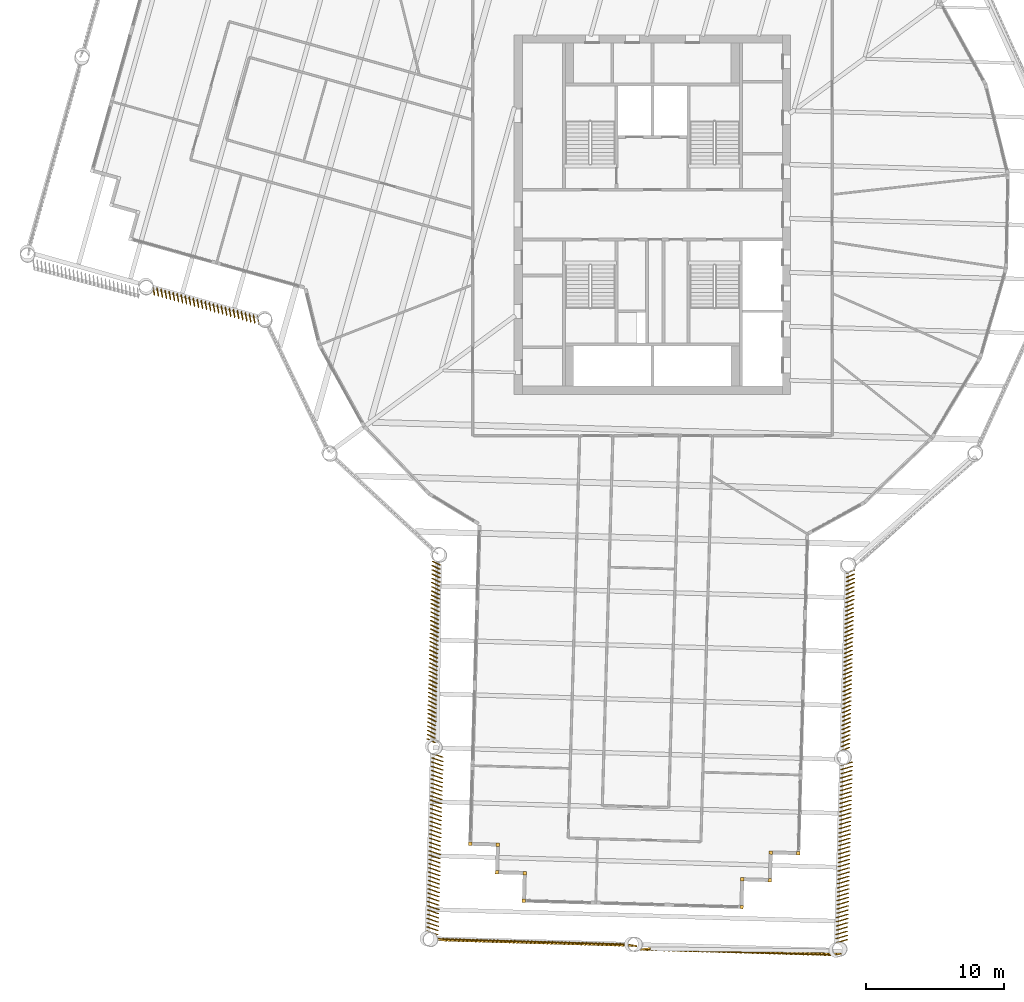
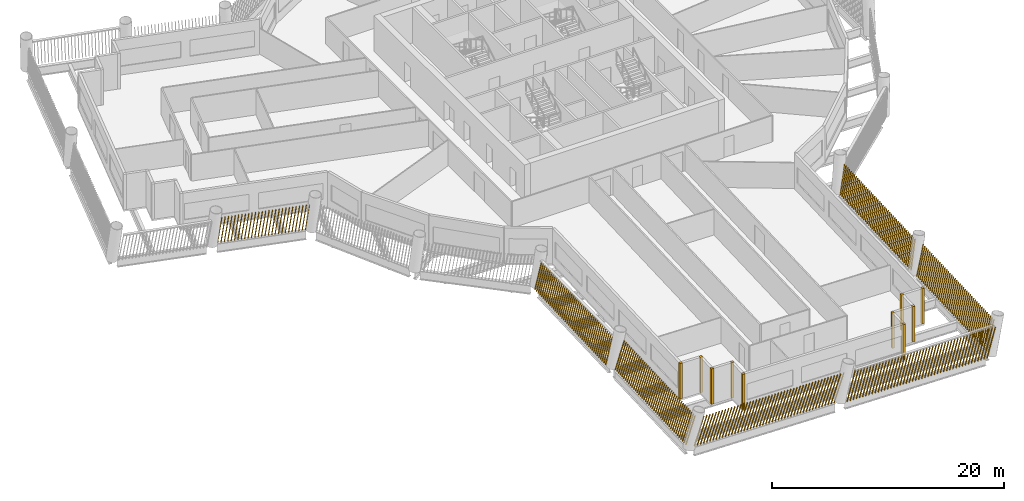
# One storey, part 11 of 15: 17 shading devices.
"""IFC4 building model written with IfcOpenShell, lengths in metres."""

from ifc_helpers import new_model, si_unit, direction, frame, frame_2d, origin, origin_2d, place, context, subcontext, project, spatial, rectangle, composite_profile, extrude, material, type_object, element, save


model = new_model("IFC4")

# Units and contexts
model_context = context("Model", 3, precision=1e-05, world=origin(), true_north=direction((0.0, 1.0)))
body_context = subcontext(model_context, "Body", "Model", "MODEL_VIEW")
ifc_project = project(units=[si_unit("LENGTHUNIT", "METRE"), si_unit("AREAUNIT", "SQUARE_METRE"), si_unit("VOLUMEUNIT", "CUBIC_METRE"), si_unit("PLANEANGLEUNIT", "RADIAN"), si_unit("MASSUNIT", "GRAM", prefix="KILO")], contexts=[model_context])

# Site, building, storey
site_placement = place(None, origin())
site = spatial("IfcSite", under=ifc_project, at=site_placement, CompositionType="ELEMENT")
building_placement = place(site_placement, origin())
building = spatial("IfcBuilding", under=site, at=building_placement, Name="Tarsis Ring Headquarters", CompositionType="ELEMENT")
storey_placement = place(building_placement, frame((0.0, 0.0, 219.89990234375)))
storey = spatial("IfcBuildingStorey", under=building, at=storey_placement, Name="L51", CompositionType="ELEMENT", Elevation=219.89990234375)

# Shading devices
ifc_material = material(Name="Terracotta baguette", Category="masonry")
shading_device_type_1 = type_object("IfcShadingDeviceType", Name="Terracotta baguette screen", PredefinedType="USERDEFINED", material=ifc_material)
shading_device_1_placement = place(storey_placement, frame((-15.8984375, -25.05078125, 0.0), z_axis=(0.0, 0.0, 1.0), x_axis=(-0.028629276415, -0.999583711777, 0.0)))
element("IfcShadingDevice", 1, at=shading_device_1_placement, inside=storey, type_object=shading_device_type_1, Name="Baguette screen L51-01", ObjectType="Terracotta baguette screen", PredefinedType="USERDEFINED", context=body_context, shape_type="SweptSolid", body=[
    extrude(composite_profile([rectangle(XDim=0.06005859375, YDim=0.1201171875, at=frame_2d((0.030029296875, 0.0))), rectangle(XDim=0.06005859375, YDim=0.1201171875, at=frame_2d((0.335693359375, 0.0))), rectangle(XDim=0.06005859375, YDim=0.1201171875, at=frame_2d((0.6416015625, 0.0))), rectangle(XDim=0.06005859375, YDim=0.1201171875, at=frame_2d((0.947265625, 0.0))), rectangle(XDim=0.06005859375, YDim=0.1201171875, at=frame_2d((1.253173828125, 0.0))), rectangle(XDim=0.06005859375, YDim=0.1201171875, at=frame_2d((1.558837890625, 0.0))), rectangle(XDim=0.06005859375, YDim=0.1201171875, at=frame_2d((1.864501953125, 0.0))), rectangle(XDim=0.06005859375, YDim=0.1201171875, at=frame_2d((2.17041015625, 0.0))), rectangle(XDim=0.06005859375, YDim=0.1201171875, at=frame_2d((2.47607421875, 0.0))), rectangle(XDim=0.06005859375, YDim=0.1201171875, at=frame_2d((2.781982421875, 0.0))), rectangle(XDim=0.06005859375, YDim=0.1201171875, at=frame_2d((3.087646484375, 0.0))), rectangle(XDim=0.06005859375, YDim=0.1201171875, at=frame_2d((3.393310546875, 0.0))), rectangle(XDim=0.06005859375, YDim=0.1201171875, at=frame_2d((3.69921875, 0.0))), rectangle(XDim=0.06005859375, YDim=0.1201171875, at=frame_2d((4.0048828125, 0.0))), rectangle(XDim=0.06005859375, YDim=0.1201171875, at=frame_2d((4.310791015625, 0.0))), rectangle(XDim=0.06005859375, YDim=0.1201171875, at=frame_2d((4.616455078125, 0.0))), rectangle(XDim=0.06005859375, YDim=0.1201171875, at=frame_2d((4.922119140625, 0.0))), rectangle(XDim=0.06005859375, YDim=0.1201171875, at=frame_2d((5.22802734375, 0.0))), rectangle(XDim=0.06005859375, YDim=0.1201171875, at=frame_2d((5.53369140625, 0.0))), rectangle(XDim=0.06005859375, YDim=0.1201171875, at=frame_2d((5.839599609375, 0.0))), rectangle(XDim=0.06005859375, YDim=0.1201171875, at=frame_2d((6.145263671875, 0.0))), rectangle(XDim=0.06005859375, YDim=0.1201171875, at=frame_2d((6.451171875, 0.0))), rectangle(XDim=0.06005859375, YDim=0.1201171875, at=frame_2d((6.7568359375, 0.0))), rectangle(XDim=0.06005859375, YDim=0.1201171875, at=frame_2d((7.0625, 0.0))), rectangle(XDim=0.06005859375, YDim=0.1201171875, at=frame_2d((7.368408203125, 0.0))), rectangle(XDim=0.06005859375, YDim=0.1201171875, at=frame_2d((7.674072265625, 0.0))), rectangle(XDim=0.06005859375, YDim=0.1201171875, at=frame_2d((7.97998046875, 0.0))), rectangle(XDim=0.06005859375, YDim=0.1201171875, at=frame_2d((8.28564453125, 0.0))), rectangle(XDim=0.06005859375, YDim=0.1201171875, at=frame_2d((8.59130859375, 0.0))), rectangle(XDim=0.06005859375, YDim=0.1201171875, at=frame_2d((8.897216796875, 0.0))), rectangle(XDim=0.06005859375, YDim=0.1201171875, at=frame_2d((9.202880859375, 0.0))), rectangle(XDim=0.06005859375, YDim=0.1201171875, at=frame_2d((9.5087890625, 0.0))), rectangle(XDim=0.06005859375, YDim=0.1201171875, at=frame_2d((9.814453125, 0.0))), rectangle(XDim=0.06005859375, YDim=0.1201171875, at=frame_2d((10.1201171875, 0.0))), rectangle(XDim=0.06005859375, YDim=0.1201171875, at=frame_2d((10.426025390625, 0.0))), rectangle(XDim=0.06005859375, YDim=0.1201171875, at=frame_2d((10.731689453125, 0.0))), rectangle(XDim=0.06005859375, YDim=0.1201171875, at=frame_2d((11.03759765625, 0.0))), rectangle(XDim=0.06005859375, YDim=0.1201171875, at=frame_2d((11.34326171875, 0.0))), rectangle(XDim=0.06005859375, YDim=0.1201171875, at=frame_2d((11.64892578125, 0.0))), rectangle(XDim=0.06005859375, YDim=0.1201171875, at=frame_2d((11.954833984375, 0.0))), rectangle(XDim=0.06005859375, YDim=0.1201171875, at=frame_2d((12.260498046875, 0.0))), rectangle(XDim=0.06005859375, YDim=0.1201171875, at=frame_2d((12.56640625, 0.0))), rectangle(XDim=0.06005859375, YDim=0.1201171875, at=frame_2d((12.8720703125, 0.0)))]), origin(), (0.08299998734, 0.178582209372, 0.980417970356), 3.009033203125),
])
shading_device_2_placement = place(storey_placement, frame((-15.92138671875, -38.9580078125, 0.0), z_axis=(0.0, 0.0, 1.0), x_axis=(-0.028629276415, -0.999583711777, 0.0)))
element("IfcShadingDevice", 2, at=shading_device_2_placement, inside=storey, type_object=shading_device_type_1, Name="Baguette screen L51-02", ObjectType="Terracotta baguette screen", PredefinedType="USERDEFINED", context=body_context, shape_type="SweptSolid", body=[
    extrude(composite_profile([rectangle(XDim=0.06005859375, YDim=0.1201171875, at=frame_2d((0.030029296875, 0.0))), rectangle(XDim=0.06005859375, YDim=0.1201171875, at=frame_2d((0.335693359375, 0.0))), rectangle(XDim=0.06005859375, YDim=0.1201171875, at=frame_2d((0.6416015625, 0.0))), rectangle(XDim=0.06005859375, YDim=0.1201171875, at=frame_2d((0.947265625, 0.0))), rectangle(XDim=0.06005859375, YDim=0.1201171875, at=frame_2d((1.253173828125, 0.0))), rectangle(XDim=0.06005859375, YDim=0.1201171875, at=frame_2d((1.558837890625, 0.0))), rectangle(XDim=0.06005859375, YDim=0.1201171875, at=frame_2d((1.864501953125, 0.0))), rectangle(XDim=0.06005859375, YDim=0.1201171875, at=frame_2d((2.17041015625, 0.0))), rectangle(XDim=0.06005859375, YDim=0.1201171875, at=frame_2d((2.47607421875, 0.0))), rectangle(XDim=0.06005859375, YDim=0.1201171875, at=frame_2d((2.781982421875, 0.0))), rectangle(XDim=0.06005859375, YDim=0.1201171875, at=frame_2d((3.087646484375, 0.0))), rectangle(XDim=0.06005859375, YDim=0.1201171875, at=frame_2d((3.393310546875, 0.0))), rectangle(XDim=0.06005859375, YDim=0.1201171875, at=frame_2d((3.69921875, 0.0))), rectangle(XDim=0.06005859375, YDim=0.1201171875, at=frame_2d((4.0048828125, 0.0))), rectangle(XDim=0.06005859375, YDim=0.1201171875, at=frame_2d((4.310791015625, 0.0))), rectangle(XDim=0.06005859375, YDim=0.1201171875, at=frame_2d((4.616455078125, 0.0))), rectangle(XDim=0.06005859375, YDim=0.1201171875, at=frame_2d((4.922119140625, 0.0))), rectangle(XDim=0.06005859375, YDim=0.1201171875, at=frame_2d((5.22802734375, 0.0))), rectangle(XDim=0.06005859375, YDim=0.1201171875, at=frame_2d((5.53369140625, 0.0))), rectangle(XDim=0.06005859375, YDim=0.1201171875, at=frame_2d((5.839599609375, 0.0))), rectangle(XDim=0.06005859375, YDim=0.1201171875, at=frame_2d((6.145263671875, 0.0))), rectangle(XDim=0.06005859375, YDim=0.1201171875, at=frame_2d((6.451171875, 0.0))), rectangle(XDim=0.06005859375, YDim=0.1201171875, at=frame_2d((6.7568359375, 0.0))), rectangle(XDim=0.06005859375, YDim=0.1201171875, at=frame_2d((7.0625, 0.0))), rectangle(XDim=0.06005859375, YDim=0.1201171875, at=frame_2d((7.368408203125, 0.0))), rectangle(XDim=0.06005859375, YDim=0.1201171875, at=frame_2d((7.674072265625, 0.0))), rectangle(XDim=0.06005859375, YDim=0.1201171875, at=frame_2d((7.97998046875, 0.0))), rectangle(XDim=0.06005859375, YDim=0.1201171875, at=frame_2d((8.28564453125, 0.0))), rectangle(XDim=0.06005859375, YDim=0.1201171875, at=frame_2d((8.59130859375, 0.0))), rectangle(XDim=0.06005859375, YDim=0.1201171875, at=frame_2d((8.897216796875, 0.0))), rectangle(XDim=0.06005859375, YDim=0.1201171875, at=frame_2d((9.202880859375, 0.0))), rectangle(XDim=0.06005859375, YDim=0.1201171875, at=frame_2d((9.5087890625, 0.0))), rectangle(XDim=0.06005859375, YDim=0.1201171875, at=frame_2d((9.814453125, 0.0))), rectangle(XDim=0.06005859375, YDim=0.1201171875, at=frame_2d((10.1201171875, 0.0))), rectangle(XDim=0.06005859375, YDim=0.1201171875, at=frame_2d((10.426025390625, 0.0))), rectangle(XDim=0.06005859375, YDim=0.1201171875, at=frame_2d((10.731689453125, 0.0))), rectangle(XDim=0.06005859375, YDim=0.1201171875, at=frame_2d((11.03759765625, 0.0))), rectangle(XDim=0.06005859375, YDim=0.1201171875, at=frame_2d((11.34326171875, 0.0))), rectangle(XDim=0.06005859375, YDim=0.1201171875, at=frame_2d((11.64892578125, 0.0))), rectangle(XDim=0.06005859375, YDim=0.1201171875, at=frame_2d((11.954833984375, 0.0))), rectangle(XDim=0.06005859375, YDim=0.1201171875, at=frame_2d((12.260498046875, 0.0))), rectangle(XDim=0.06005859375, YDim=0.1201171875, at=frame_2d((12.56640625, 0.0))), rectangle(XDim=0.06005859375, YDim=0.1201171875, at=frame_2d((12.8720703125, 0.0)))]), origin(), (0.07896348139, 0.25182603507, 0.96454570481), 3.05859375),
])
shading_device_3_placement = place(storey_placement, frame((-15.80517578125, -52.369140625, 0.0), z_axis=(0.0, 0.0, 1.0), x_axis=(0.999593093199, -0.028625008846, 0.0)))
element("IfcShadingDevice", 3, at=shading_device_3_placement, inside=storey, type_object=shading_device_type_1, Name="Baguette screen L51-03", ObjectType="Terracotta baguette screen", PredefinedType="USERDEFINED", context=body_context, shape_type="SweptSolid", body=[
    extrude(composite_profile([rectangle(XDim=0.06005859375, YDim=0.1201171875, at=frame_2d((0.030029296875, 0.0))), rectangle(XDim=0.06005859375, YDim=0.1201171875, at=frame_2d((0.33544921875, 0.0))), rectangle(XDim=0.06005859375, YDim=0.1201171875, at=frame_2d((0.640625, 0.0))), rectangle(XDim=0.06005859375, YDim=0.1201171875, at=frame_2d((0.946044921875, 0.0))), rectangle(XDim=0.06005859375, YDim=0.1201171875, at=frame_2d((1.25146484375, 0.0))), rectangle(XDim=0.06005859375, YDim=0.1201171875, at=frame_2d((1.556640625, 0.0))), rectangle(XDim=0.06005859375, YDim=0.1201171875, at=frame_2d((1.862060546875, 0.0))), rectangle(XDim=0.06005859375, YDim=0.1201171875, at=frame_2d((2.16748046875, 0.0))), rectangle(XDim=0.06005859375, YDim=0.1201171875, at=frame_2d((2.47265625, 0.0))), rectangle(XDim=0.06005859375, YDim=0.1201171875, at=frame_2d((2.778076171875, 0.0))), rectangle(XDim=0.06005859375, YDim=0.1201171875, at=frame_2d((3.08349609375, 0.0))), rectangle(XDim=0.06005859375, YDim=0.1201171875, at=frame_2d((3.388671875, 0.0))), rectangle(XDim=0.06005859375, YDim=0.1201171875, at=frame_2d((3.694091796875, 0.0))), rectangle(XDim=0.06005859375, YDim=0.1201171875, at=frame_2d((3.99951171875, 0.0))), rectangle(XDim=0.06005859375, YDim=0.1201171875, at=frame_2d((4.3046875, 0.0))), rectangle(XDim=0.06005859375, YDim=0.1201171875, at=frame_2d((4.610107421875, 0.0))), rectangle(XDim=0.06005859375, YDim=0.1201171875, at=frame_2d((4.91552734375, 0.0))), rectangle(XDim=0.06005859375, YDim=0.1201171875, at=frame_2d((5.220703125, 0.0))), rectangle(XDim=0.06005859375, YDim=0.1201171875, at=frame_2d((5.526123046875, 0.0))), rectangle(XDim=0.06005859375, YDim=0.1201171875, at=frame_2d((5.83154296875, 0.0))), rectangle(XDim=0.06005859375, YDim=0.1201171875, at=frame_2d((6.13671875, 0.0))), rectangle(XDim=0.06005859375, YDim=0.1201171875, at=frame_2d((6.442138671875, 0.0))), rectangle(XDim=0.06005859375, YDim=0.1201171875, at=frame_2d((6.74755859375, 0.0))), rectangle(XDim=0.06005859375, YDim=0.1201171875, at=frame_2d((7.052734375, 0.0))), rectangle(XDim=0.06005859375, YDim=0.1201171875, at=frame_2d((7.358154296875, 0.0))), rectangle(XDim=0.06005859375, YDim=0.1201171875, at=frame_2d((7.66357421875, 0.0))), rectangle(XDim=0.06005859375, YDim=0.1201171875, at=frame_2d((7.96875, 0.0))), rectangle(XDim=0.06005859375, YDim=0.1201171875, at=frame_2d((8.274169921875, 0.0))), rectangle(XDim=0.06005859375, YDim=0.1201171875, at=frame_2d((8.57958984375, 0.0))), rectangle(XDim=0.06005859375, YDim=0.1201171875, at=frame_2d((8.884765625, 0.0))), rectangle(XDim=0.06005859375, YDim=0.1201171875, at=frame_2d((9.190185546875, 0.0))), rectangle(XDim=0.06005859375, YDim=0.1201171875, at=frame_2d((9.49560546875, 0.0))), rectangle(XDim=0.06005859375, YDim=0.1201171875, at=frame_2d((9.80078125, 0.0))), rectangle(XDim=0.06005859375, YDim=0.1201171875, at=frame_2d((10.106201171875, 0.0))), rectangle(XDim=0.06005859375, YDim=0.1201171875, at=frame_2d((10.41162109375, 0.0))), rectangle(XDim=0.06005859375, YDim=0.1201171875, at=frame_2d((10.716796875, 0.0))), rectangle(XDim=0.06005859375, YDim=0.1201171875, at=frame_2d((11.022216796875, 0.0))), rectangle(XDim=0.06005859375, YDim=0.1201171875, at=frame_2d((11.32763671875, 0.0))), rectangle(XDim=0.06005859375, YDim=0.1201171875, at=frame_2d((11.6328125, 0.0))), rectangle(XDim=0.06005859375, YDim=0.1201171875, at=frame_2d((11.938232421875, 0.0))), rectangle(XDim=0.06005859375, YDim=0.1201171875, at=frame_2d((12.24365234375, 0.0))), rectangle(XDim=0.06005859375, YDim=0.1201171875, at=frame_2d((12.548828125, 0.0))), rectangle(XDim=0.06005859375, YDim=0.1201171875, at=frame_2d((12.854248046875, 0.0))), rectangle(XDim=0.06005859375, YDim=0.1201171875, at=frame_2d((13.15966796875, 0.0))), rectangle(XDim=0.06005859375, YDim=0.1201171875, at=frame_2d((13.46484375, 0.0))), rectangle(XDim=0.06005859375, YDim=0.1201171875, at=frame_2d((13.770263671875, 0.0)))]), origin(), (0.287325263817, -0.03781598001, 0.957086278466), 3.08251953125),
])
shading_device_4_placement = place(storey_placement, frame((-1.02197265625, -53.16748046875, 0.0), z_axis=(0.0, 0.0, 1.0), x_axis=(0.999593093199, -0.028625008846, 0.0)))
element("IfcShadingDevice", 4, at=shading_device_4_placement, inside=storey, type_object=shading_device_type_1, Name="Baguette screen L51-04", ObjectType="Terracotta baguette screen", PredefinedType="USERDEFINED", context=body_context, shape_type="SweptSolid", body=[
    extrude(composite_profile([rectangle(XDim=0.06005859375, YDim=0.1201171875, at=frame_2d((0.030029296875, 0.0))), rectangle(XDim=0.06005859375, YDim=0.1201171875, at=frame_2d((0.33544921875, 0.0))), rectangle(XDim=0.06005859375, YDim=0.1201171875, at=frame_2d((0.640625, 0.0))), rectangle(XDim=0.06005859375, YDim=0.1201171875, at=frame_2d((0.946044921875, 0.0))), rectangle(XDim=0.06005859375, YDim=0.1201171875, at=frame_2d((1.25146484375, 0.0))), rectangle(XDim=0.06005859375, YDim=0.1201171875, at=frame_2d((1.556640625, 0.0))), rectangle(XDim=0.06005859375, YDim=0.1201171875, at=frame_2d((1.862060546875, 0.0))), rectangle(XDim=0.06005859375, YDim=0.1201171875, at=frame_2d((2.16748046875, 0.0))), rectangle(XDim=0.06005859375, YDim=0.1201171875, at=frame_2d((2.47265625, 0.0))), rectangle(XDim=0.06005859375, YDim=0.1201171875, at=frame_2d((2.778076171875, 0.0))), rectangle(XDim=0.06005859375, YDim=0.1201171875, at=frame_2d((3.08349609375, 0.0))), rectangle(XDim=0.06005859375, YDim=0.1201171875, at=frame_2d((3.388671875, 0.0))), rectangle(XDim=0.06005859375, YDim=0.1201171875, at=frame_2d((3.694091796875, 0.0))), rectangle(XDim=0.06005859375, YDim=0.1201171875, at=frame_2d((3.99951171875, 0.0))), rectangle(XDim=0.06005859375, YDim=0.1201171875, at=frame_2d((4.3046875, 0.0))), rectangle(XDim=0.06005859375, YDim=0.1201171875, at=frame_2d((4.610107421875, 0.0))), rectangle(XDim=0.06005859375, YDim=0.1201171875, at=frame_2d((4.91552734375, 0.0))), rectangle(XDim=0.06005859375, YDim=0.1201171875, at=frame_2d((5.220703125, 0.0))), rectangle(XDim=0.06005859375, YDim=0.1201171875, at=frame_2d((5.526123046875, 0.0))), rectangle(XDim=0.06005859375, YDim=0.1201171875, at=frame_2d((5.83154296875, 0.0))), rectangle(XDim=0.06005859375, YDim=0.1201171875, at=frame_2d((6.13671875, 0.0))), rectangle(XDim=0.06005859375, YDim=0.1201171875, at=frame_2d((6.442138671875, 0.0))), rectangle(XDim=0.06005859375, YDim=0.1201171875, at=frame_2d((6.74755859375, 0.0))), rectangle(XDim=0.06005859375, YDim=0.1201171875, at=frame_2d((7.052734375, 0.0))), rectangle(XDim=0.06005859375, YDim=0.1201171875, at=frame_2d((7.358154296875, 0.0))), rectangle(XDim=0.06005859375, YDim=0.1201171875, at=frame_2d((7.66357421875, 0.0))), rectangle(XDim=0.06005859375, YDim=0.1201171875, at=frame_2d((7.96875, 0.0))), rectangle(XDim=0.06005859375, YDim=0.1201171875, at=frame_2d((8.274169921875, 0.0))), rectangle(XDim=0.06005859375, YDim=0.1201171875, at=frame_2d((8.57958984375, 0.0))), rectangle(XDim=0.06005859375, YDim=0.1201171875, at=frame_2d((8.884765625, 0.0))), rectangle(XDim=0.06005859375, YDim=0.1201171875, at=frame_2d((9.190185546875, 0.0))), rectangle(XDim=0.06005859375, YDim=0.1201171875, at=frame_2d((9.49560546875, 0.0))), rectangle(XDim=0.06005859375, YDim=0.1201171875, at=frame_2d((9.80078125, 0.0))), rectangle(XDim=0.06005859375, YDim=0.1201171875, at=frame_2d((10.106201171875, 0.0))), rectangle(XDim=0.06005859375, YDim=0.1201171875, at=frame_2d((10.41162109375, 0.0))), rectangle(XDim=0.06005859375, YDim=0.1201171875, at=frame_2d((10.716796875, 0.0))), rectangle(XDim=0.06005859375, YDim=0.1201171875, at=frame_2d((11.022216796875, 0.0))), rectangle(XDim=0.06005859375, YDim=0.1201171875, at=frame_2d((11.32763671875, 0.0))), rectangle(XDim=0.06005859375, YDim=0.1201171875, at=frame_2d((11.6328125, 0.0))), rectangle(XDim=0.06005859375, YDim=0.1201171875, at=frame_2d((11.938232421875, 0.0))), rectangle(XDim=0.06005859375, YDim=0.1201171875, at=frame_2d((12.24365234375, 0.0))), rectangle(XDim=0.06005859375, YDim=0.1201171875, at=frame_2d((12.548828125, 0.0))), rectangle(XDim=0.06005859375, YDim=0.1201171875, at=frame_2d((12.854248046875, 0.0))), rectangle(XDim=0.06005859375, YDim=0.1201171875, at=frame_2d((13.15966796875, 0.0))), rectangle(XDim=0.06005859375, YDim=0.1201171875, at=frame_2d((13.46484375, 0.0))), rectangle(XDim=0.06005859375, YDim=0.1201171875, at=frame_2d((13.770263671875, 0.0)))]), origin(), (0.288519855901, 0.042619553315, 0.956524890646), 3.084228515625),
])
shading_device_5_placement = place(storey_placement, frame((13.297119140625, -52.7021484375, 0.0), z_axis=(0.0, 0.0, 1.0), x_axis=(0.028629276415, 0.999583711777, 0.0)))
element("IfcShadingDevice", 5, at=shading_device_5_placement, inside=storey, type_object=shading_device_type_1, Name="Baguette screen L51-05", ObjectType="Terracotta baguette screen", PredefinedType="USERDEFINED", context=body_context, shape_type="SweptSolid", body=[
    extrude(composite_profile([rectangle(XDim=0.06005859375, YDim=0.1201171875, at=frame_2d((0.030029296875, 0.0))), rectangle(XDim=0.06005859375, YDim=0.1201171875, at=frame_2d((0.335693359375, 0.0))), rectangle(XDim=0.06005859375, YDim=0.1201171875, at=frame_2d((0.6416015625, 0.0))), rectangle(XDim=0.06005859375, YDim=0.1201171875, at=frame_2d((0.947265625, 0.0))), rectangle(XDim=0.06005859375, YDim=0.1201171875, at=frame_2d((1.253173828125, 0.0))), rectangle(XDim=0.06005859375, YDim=0.1201171875, at=frame_2d((1.558837890625, 0.0))), rectangle(XDim=0.06005859375, YDim=0.1201171875, at=frame_2d((1.864501953125, 0.0))), rectangle(XDim=0.06005859375, YDim=0.1201171875, at=frame_2d((2.17041015625, 0.0))), rectangle(XDim=0.06005859375, YDim=0.1201171875, at=frame_2d((2.47607421875, 0.0))), rectangle(XDim=0.06005859375, YDim=0.1201171875, at=frame_2d((2.781982421875, 0.0))), rectangle(XDim=0.06005859375, YDim=0.1201171875, at=frame_2d((3.087646484375, 0.0))), rectangle(XDim=0.06005859375, YDim=0.1201171875, at=frame_2d((3.393310546875, 0.0))), rectangle(XDim=0.06005859375, YDim=0.1201171875, at=frame_2d((3.69921875, 0.0))), rectangle(XDim=0.06005859375, YDim=0.1201171875, at=frame_2d((4.0048828125, 0.0))), rectangle(XDim=0.06005859375, YDim=0.1201171875, at=frame_2d((4.310791015625, 0.0))), rectangle(XDim=0.06005859375, YDim=0.1201171875, at=frame_2d((4.616455078125, 0.0))), rectangle(XDim=0.06005859375, YDim=0.1201171875, at=frame_2d((4.922119140625, 0.0))), rectangle(XDim=0.06005859375, YDim=0.1201171875, at=frame_2d((5.22802734375, 0.0))), rectangle(XDim=0.06005859375, YDim=0.1201171875, at=frame_2d((5.53369140625, 0.0))), rectangle(XDim=0.06005859375, YDim=0.1201171875, at=frame_2d((5.839599609375, 0.0))), rectangle(XDim=0.06005859375, YDim=0.1201171875, at=frame_2d((6.145263671875, 0.0))), rectangle(XDim=0.06005859375, YDim=0.1201171875, at=frame_2d((6.451171875, 0.0))), rectangle(XDim=0.06005859375, YDim=0.1201171875, at=frame_2d((6.7568359375, 0.0))), rectangle(XDim=0.06005859375, YDim=0.1201171875, at=frame_2d((7.0625, 0.0))), rectangle(XDim=0.06005859375, YDim=0.1201171875, at=frame_2d((7.368408203125, 0.0))), rectangle(XDim=0.06005859375, YDim=0.1201171875, at=frame_2d((7.674072265625, 0.0))), rectangle(XDim=0.06005859375, YDim=0.1201171875, at=frame_2d((7.97998046875, 0.0))), rectangle(XDim=0.06005859375, YDim=0.1201171875, at=frame_2d((8.28564453125, 0.0))), rectangle(XDim=0.06005859375, YDim=0.1201171875, at=frame_2d((8.59130859375, 0.0))), rectangle(XDim=0.06005859375, YDim=0.1201171875, at=frame_2d((8.897216796875, 0.0))), rectangle(XDim=0.06005859375, YDim=0.1201171875, at=frame_2d((9.202880859375, 0.0))), rectangle(XDim=0.06005859375, YDim=0.1201171875, at=frame_2d((9.5087890625, 0.0))), rectangle(XDim=0.06005859375, YDim=0.1201171875, at=frame_2d((9.814453125, 0.0))), rectangle(XDim=0.06005859375, YDim=0.1201171875, at=frame_2d((10.1201171875, 0.0))), rectangle(XDim=0.06005859375, YDim=0.1201171875, at=frame_2d((10.426025390625, 0.0))), rectangle(XDim=0.06005859375, YDim=0.1201171875, at=frame_2d((10.731689453125, 0.0))), rectangle(XDim=0.06005859375, YDim=0.1201171875, at=frame_2d((11.03759765625, 0.0))), rectangle(XDim=0.06005859375, YDim=0.1201171875, at=frame_2d((11.34326171875, 0.0))), rectangle(XDim=0.06005859375, YDim=0.1201171875, at=frame_2d((11.64892578125, 0.0))), rectangle(XDim=0.06005859375, YDim=0.1201171875, at=frame_2d((11.954833984375, 0.0))), rectangle(XDim=0.06005859375, YDim=0.1201171875, at=frame_2d((12.260498046875, 0.0))), rectangle(XDim=0.06005859375, YDim=0.1201171875, at=frame_2d((12.56640625, 0.0))), rectangle(XDim=0.06005859375, YDim=0.1201171875, at=frame_2d((12.8720703125, 0.0)))]), origin(), (0.083176392134, -0.250466301342, 0.964545654536), 3.05859375),
])
shading_device_6_placement = place(storey_placement, frame((13.695068359375, -38.8056640625, 0.0), z_axis=(0.0, 0.0, 1.0), x_axis=(0.028610354223, 0.999583711777, 0.0)))
element("IfcShadingDevice", 6, at=shading_device_6_placement, inside=storey, type_object=shading_device_type_1, Name="Baguette screen L51-06", ObjectType="Terracotta baguette screen", PredefinedType="USERDEFINED", context=body_context, shape_type="SweptSolid", body=[
    extrude(composite_profile([rectangle(XDim=0.06005859375, YDim=0.1201171875, at=frame_2d((0.030029296875, 0.0))), rectangle(XDim=0.06005859375, YDim=0.1201171875, at=frame_2d((0.335693359375, 0.0))), rectangle(XDim=0.06005859375, YDim=0.1201171875, at=frame_2d((0.6416015625, 0.0))), rectangle(XDim=0.06005859375, YDim=0.1201171875, at=frame_2d((0.947265625, 0.0))), rectangle(XDim=0.06005859375, YDim=0.1201171875, at=frame_2d((1.253173828125, 0.0))), rectangle(XDim=0.06005859375, YDim=0.1201171875, at=frame_2d((1.558837890625, 0.0))), rectangle(XDim=0.06005859375, YDim=0.1201171875, at=frame_2d((1.864501953125, 0.0))), rectangle(XDim=0.06005859375, YDim=0.1201171875, at=frame_2d((2.17041015625, 0.0))), rectangle(XDim=0.06005859375, YDim=0.1201171875, at=frame_2d((2.47607421875, 0.0))), rectangle(XDim=0.06005859375, YDim=0.1201171875, at=frame_2d((2.781982421875, 0.0))), rectangle(XDim=0.06005859375, YDim=0.1201171875, at=frame_2d((3.087646484375, 0.0))), rectangle(XDim=0.06005859375, YDim=0.1201171875, at=frame_2d((3.393310546875, 0.0))), rectangle(XDim=0.06005859375, YDim=0.1201171875, at=frame_2d((3.69921875, 0.0))), rectangle(XDim=0.06005859375, YDim=0.1201171875, at=frame_2d((4.0048828125, 0.0))), rectangle(XDim=0.06005859375, YDim=0.1201171875, at=frame_2d((4.310791015625, 0.0))), rectangle(XDim=0.06005859375, YDim=0.1201171875, at=frame_2d((4.616455078125, 0.0))), rectangle(XDim=0.06005859375, YDim=0.1201171875, at=frame_2d((4.922119140625, 0.0))), rectangle(XDim=0.06005859375, YDim=0.1201171875, at=frame_2d((5.22802734375, 0.0))), rectangle(XDim=0.06005859375, YDim=0.1201171875, at=frame_2d((5.53369140625, 0.0))), rectangle(XDim=0.06005859375, YDim=0.1201171875, at=frame_2d((5.839599609375, 0.0))), rectangle(XDim=0.06005859375, YDim=0.1201171875, at=frame_2d((6.145263671875, 0.0))), rectangle(XDim=0.06005859375, YDim=0.1201171875, at=frame_2d((6.451171875, 0.0))), rectangle(XDim=0.06005859375, YDim=0.1201171875, at=frame_2d((6.7568359375, 0.0))), rectangle(XDim=0.06005859375, YDim=0.1201171875, at=frame_2d((7.0625, 0.0))), rectangle(XDim=0.06005859375, YDim=0.1201171875, at=frame_2d((7.368408203125, 0.0))), rectangle(XDim=0.06005859375, YDim=0.1201171875, at=frame_2d((7.674072265625, 0.0))), rectangle(XDim=0.06005859375, YDim=0.1201171875, at=frame_2d((7.97998046875, 0.0))), rectangle(XDim=0.06005859375, YDim=0.1201171875, at=frame_2d((8.28564453125, 0.0))), rectangle(XDim=0.06005859375, YDim=0.1201171875, at=frame_2d((8.59130859375, 0.0))), rectangle(XDim=0.06005859375, YDim=0.1201171875, at=frame_2d((8.897216796875, 0.0))), rectangle(XDim=0.06005859375, YDim=0.1201171875, at=frame_2d((9.202880859375, 0.0))), rectangle(XDim=0.06005859375, YDim=0.1201171875, at=frame_2d((9.5087890625, 0.0))), rectangle(XDim=0.06005859375, YDim=0.1201171875, at=frame_2d((9.814453125, 0.0))), rectangle(XDim=0.06005859375, YDim=0.1201171875, at=frame_2d((10.1201171875, 0.0))), rectangle(XDim=0.06005859375, YDim=0.1201171875, at=frame_2d((10.426025390625, 0.0))), rectangle(XDim=0.06005859375, YDim=0.1201171875, at=frame_2d((10.731689453125, 0.0))), rectangle(XDim=0.06005859375, YDim=0.1201171875, at=frame_2d((11.03759765625, 0.0))), rectangle(XDim=0.06005859375, YDim=0.1201171875, at=frame_2d((11.34326171875, 0.0))), rectangle(XDim=0.06005859375, YDim=0.1201171875, at=frame_2d((11.64892578125, 0.0))), rectangle(XDim=0.06005859375, YDim=0.1201171875, at=frame_2d((11.954833984375, 0.0))), rectangle(XDim=0.06005859375, YDim=0.1201171875, at=frame_2d((12.260498046875, 0.0))), rectangle(XDim=0.06005859375, YDim=0.1201171875, at=frame_2d((12.56640625, 0.0))), rectangle(XDim=0.06005859375, YDim=0.1201171875, at=frame_2d((12.8720703125, 0.0)))]), origin(), (0.083906900334, -0.177214916433, 0.980588856489), 3.008544921875),
])
shading_device_7_placement = place(storey_placement, frame((-36.151123046875, -5.248291015625, 0.0), z_axis=(0.0, 0.0, 1.0), x_axis=(0.962986992925, -0.269595575741, 0.0)))
element("IfcShadingDevice", 7, at=shading_device_7_placement, inside=storey, type_object=shading_device_type_1, Name="Baguette screen L51-20", ObjectType="Terracotta baguette screen", PredefinedType="USERDEFINED", context=body_context, shape_type="SweptSolid", body=[
    extrude(composite_profile([rectangle(XDim=0.06005859375, YDim=0.1201171875, at=frame_2d((0.030029296875, 0.0))), rectangle(XDim=0.06005859375, YDim=0.1201171875, at=frame_2d((0.33154296875, 0.0))), rectangle(XDim=0.06005859375, YDim=0.1201171875, at=frame_2d((0.63330078125, 0.0))), rectangle(XDim=0.06005859375, YDim=0.1201171875, at=frame_2d((0.934814453125, 0.0))), rectangle(XDim=0.06005859375, YDim=0.1201171875, at=frame_2d((1.236572265625, 0.0))), rectangle(XDim=0.06005859375, YDim=0.1201171875, at=frame_2d((1.5380859375, 0.0))), rectangle(XDim=0.06005859375, YDim=0.1201171875, at=frame_2d((1.83984375, 0.0))), rectangle(XDim=0.06005859375, YDim=0.1201171875, at=frame_2d((2.141357421875, 0.0))), rectangle(XDim=0.06005859375, YDim=0.1201171875, at=frame_2d((2.443115234375, 0.0))), rectangle(XDim=0.06005859375, YDim=0.1201171875, at=frame_2d((2.74462890625, 0.0))), rectangle(XDim=0.06005859375, YDim=0.1201171875, at=frame_2d((3.04638671875, 0.0))), rectangle(XDim=0.06005859375, YDim=0.1201171875, at=frame_2d((3.347900390625, 0.0))), rectangle(XDim=0.06005859375, YDim=0.1201171875, at=frame_2d((3.649658203125, 0.0))), rectangle(XDim=0.06005859375, YDim=0.1201171875, at=frame_2d((3.951171875, 0.0))), rectangle(XDim=0.06005859375, YDim=0.1201171875, at=frame_2d((4.252685546875, 0.0))), rectangle(XDim=0.06005859375, YDim=0.1201171875, at=frame_2d((4.554443359375, 0.0))), rectangle(XDim=0.06005859375, YDim=0.1201171875, at=frame_2d((4.85595703125, 0.0))), rectangle(XDim=0.06005859375, YDim=0.1201171875, at=frame_2d((5.15771484375, 0.0))), rectangle(XDim=0.06005859375, YDim=0.1201171875, at=frame_2d((5.459228515625, 0.0))), rectangle(XDim=0.06005859375, YDim=0.1201171875, at=frame_2d((5.760986328125, 0.0))), rectangle(XDim=0.06005859375, YDim=0.1201171875, at=frame_2d((6.0625, 0.0))), rectangle(XDim=0.06005859375, YDim=0.1201171875, at=frame_2d((6.3642578125, 0.0))), rectangle(XDim=0.06005859375, YDim=0.1201171875, at=frame_2d((6.665771484375, 0.0))), rectangle(XDim=0.06005859375, YDim=0.1201171875, at=frame_2d((6.967529296875, 0.0))), rectangle(XDim=0.06005859375, YDim=0.1201171875, at=frame_2d((7.26904296875, 0.0))), rectangle(XDim=0.06005859375, YDim=0.1201171875, at=frame_2d((7.57080078125, 0.0))), rectangle(XDim=0.06005859375, YDim=0.1201171875, at=frame_2d((7.872314453125, 0.0)))]), origin(), (0.083993711372, -0.163684951125, 0.98293046205), 3.00146484375),
])
shading_device_type_2 = type_object("IfcShadingDeviceType", Name="Terracotta corner baguette 250x250", PredefinedType="USERDEFINED", material=ifc_material)
for number, where, z_axis, x_axis, name in (
    (8, (-13.18310546875, -45.516357421875, 0.0), (0.0, 0.0, 1.0), (-0.02861945648, -0.999590379461, 0.0), "Corner baguette L51-07"),
    (9, (-11.183837890625, -45.573486328125, 0.0), (0.0, 0.0, 1.0), (0.999590392448, -0.02861900288, 0.0), "Corner baguette L51-08"),
    (10, (-11.2412109375, -47.57275390625, 0.0), (0.0, 0.0, 1.0), (-0.028619491372, -0.999590378462, 0.0), "Corner baguette L51-09"),
    (11, (-9.241943359375, -47.630126953125, 0.0), (0.0, 0.0, 1.0), (0.999590377962, -0.028619508818, 0.0), "Corner baguette L51-10"),
    (12, (-9.299072265625, -49.629150390625, 0.0), (0.0, 0.0, 1.0), (-0.028619491372, -0.999590378462, 0.0), "Corner baguette L51-11"),
    (13, (6.4443359375, -50.079833984375, 0.0), (0.0, 0.0, 1.0), (0.999590378462, -0.028619491372, 0.0), "Corner baguette L51-12"),
    (14, (6.501708984375, -48.080810546875, 0.0), (0.0, 0.0, 1.0), (0.028619491372, 0.999590378462, 0.0), "Corner baguette L51-13"),
    (15, (8.500732421875, -48.137939453125, 0.0), (0.0, 0.0, 1.0), (0.999590378462, -0.028619491372, 0.0), "Corner baguette L51-14"),
    (16, (8.55810546875, -46.138916015625, 0.0), (0.0, 0.0, 1.0), (0.028619491372, 0.999590378462, 0.0), "Corner baguette L51-15"),
    (17, (10.55712890625, -46.196044921875, 0.0), (0.0, 0.0, 1.0), (0.999590378462, -0.028619491372, 0.0), "Corner baguette L51-16"),
):
    element("IfcShadingDevice", number, at=place(storey_placement, frame(where, z_axis=z_axis, x_axis=x_axis)), inside=storey, type_object=shading_device_type_2, Name=name, ObjectType="Terracotta corner baguette", PredefinedType="USERDEFINED", context=body_context, shape_type="SweptSolid", body=[
        extrude(rectangle(XDim=0.25, YDim=0.25, at=origin_2d()), origin(), (0.0, 0.0, 1.0), 3.739990234375),
    ])

save(model, "model.ifc")
